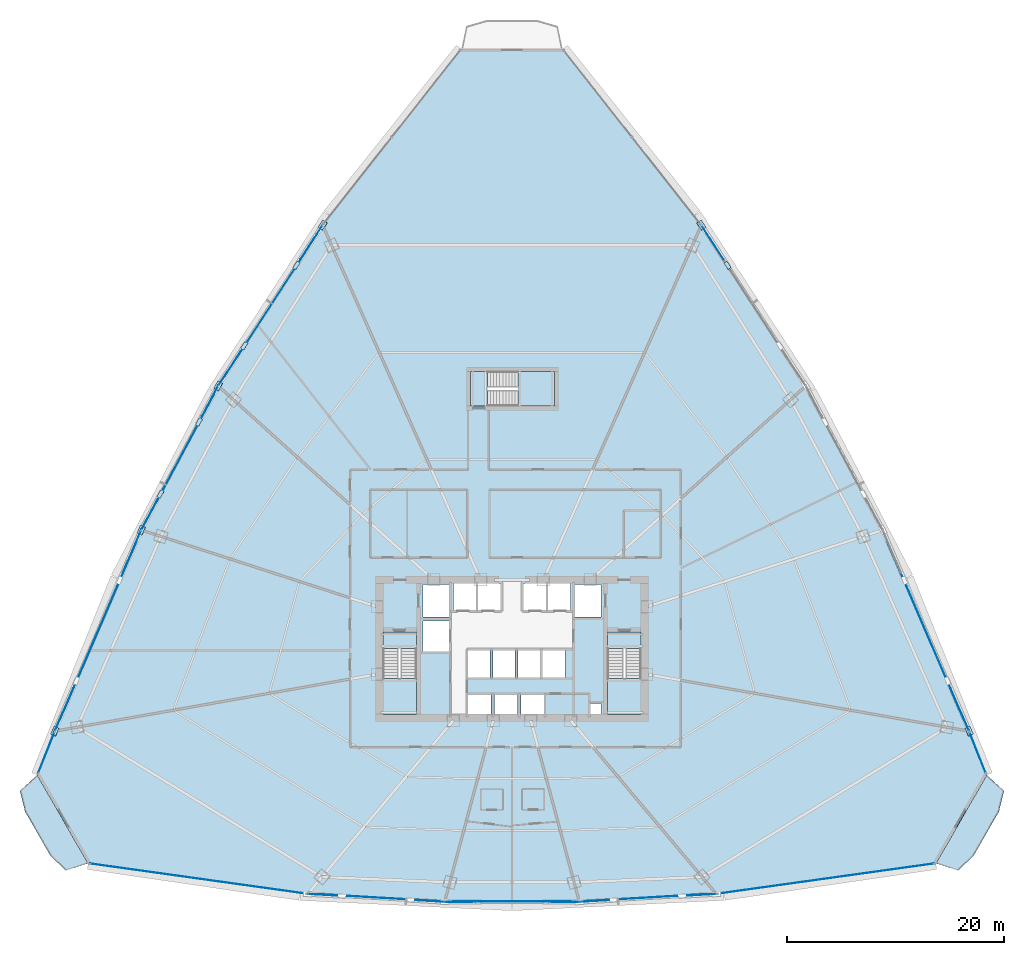
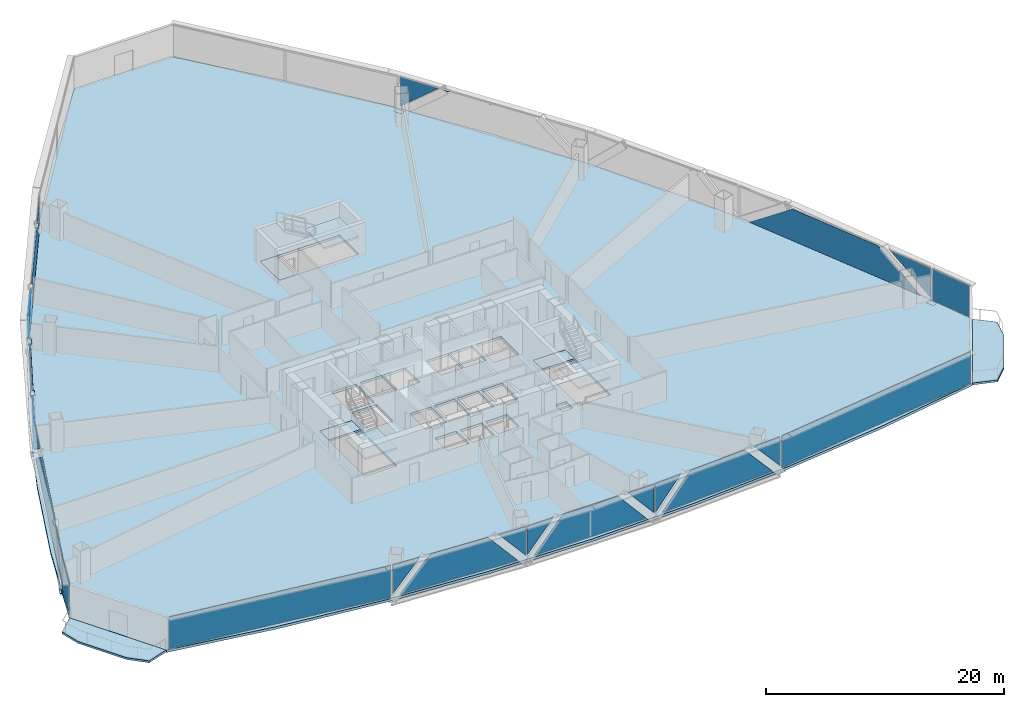
# One storey, part 28 of 38: 36 plates, 9 slabs, 15 elements without a shape of their own.
"""IFC4 building model written with IfcOpenShell, lengths in metres."""

from ifc_helpers import new_model, si_unit, direction, frame, origin, origin_2d, place, context, subcontext, project, spatial, polyline, rectangle, outline, extrude, source, transform, mapped, material, layer, layer_set, type_object, element, aggregate, save


model = new_model("IFC4")

# Units and contexts
model_context = context("Model", 3, precision=1e-05, world=origin(), true_north=direction((0.0, 1.0)))
body_context = subcontext(model_context, "Body", "Model", "MODEL_VIEW")
ifc_project = project(units=[si_unit("LENGTHUNIT", "METRE"), si_unit("AREAUNIT", "SQUARE_METRE"), si_unit("VOLUMEUNIT", "CUBIC_METRE"), si_unit("PLANEANGLEUNIT", "RADIAN"), si_unit("MASSUNIT", "GRAM", prefix="KILO"), si_unit("THERMODYNAMICTEMPERATUREUNIT", "KELVIN"), si_unit("POWERUNIT", "WATT")], contexts=[model_context])

# Site, building, storey
site_placement = place(None, origin())
site = spatial("IfcSite", under=ifc_project, at=site_placement, CompositionType="ELEMENT")
building_placement = place(site_placement, origin())
building = spatial("IfcBuilding", under=site, at=building_placement, Name="Yunzhuo Pagoda Commons", CompositionType="ELEMENT")
storey_placement = place(building_placement, frame((0.0, 0.0, 34.030029296875)))
storey = spatial("IfcBuildingStorey", under=building, at=storey_placement, Name="L08", CompositionType="ELEMENT", Elevation=34.030029296875)

# Curtain wall, plates
ifc_material_1 = material(Name="Anodized aluminium 6063-T6", Category="aluminium")
ifc_layer_1 = layer(ifc_material_1, 0.1650390625)
ifc_layer_set_1 = layer_set([ifc_layer_1], Name="Anodized aluminium 6063-T6")
curtain_wall_type = type_object("IfcCurtainWallType", Name="CW-LOW Low-Zone Ribbon Curtain Wall", PredefinedType="NOTDEFINED", material=ifc_layer_set_1)
curtain_wall_1_placement = place(storey_placement, origin())
curtain_wall_1 = element("IfcCurtainWall", 1, at=curtain_wall_1_placement, inside=storey, type_object=curtain_wall_type, Name="L08 curtain wall CW-L08-F1B2", PredefinedType="NOTDEFINED")
ifc_material_2 = material(Name="Tempered low-e double glazing", Category="glass")
ifc_layer_2 = layer(ifc_material_2, 0.028076171875)
ifc_layer_set_2 = layer_set([ifc_layer_2], Name="Tempered low-e double glazing")
plate_type_1 = type_object("IfcPlateType", Name="CW-LOW-P Low-E Double Glazing 28", PredefinedType="CURTAIN_PANEL", material=ifc_layer_set_2)
plate_1_placement = place(storey_placement, frame((30.51904296875, 11.21630859375, 1.851806640625), z_axis=(-0.05789866519, -0.998322465223, 0.0), x_axis=(0.998322465223, -0.05789866519, 0.0)))
plate_1 = element("IfcPlate", 2, at=plate_1_placement, type_object=plate_type_1, Name="CW panel 1.1 lite 1", PredefinedType="CURTAIN_PANEL", context=body_context, shape_type="SweptSolid", body=[
    extrude(outline(polyline([(-1.268310546875, -1.458251953125), (1.268310546875, 1.458251953125), (-1.268310546875, 1.458251953125), (-1.268310546875, -1.458251953125)])), origin(), (0.0, 0.0, 1.0), 0.028076171875),
])
plate_2_placement = place(storey_placement, frame((35.494140625, 10.957763671875, 1.68505859375), z_axis=(-0.05789866519, -0.998322465223, 0.0), x_axis=(0.998322465223, -0.05789866519, 0.0)))
plate_2 = element("IfcPlate", 3, at=plate_2_placement, type_object=plate_type_1, Name="CW panel 1.1 lite 2", PredefinedType="CURTAIN_PANEL", context=body_context, shape_type="SweptSolid", body=[
    extrude(outline(polyline([(-5.533203125, -1.625), (5.533203125, -1.625), (2.706298828125, 1.625), (-2.706298828125, 1.625), (-5.533203125, -1.625)])), origin(), (0.0, 0.0, 1.0), 0.028076171875),
])
plate_3_placement = place(storey_placement, frame((40.466064453125, 10.639404296875, 1.851806640625), z_axis=(-0.05789866519, -0.998322465223, 0.0), x_axis=(0.998322465223, -0.05789866519, 0.0)))
plate_3 = element("IfcPlate", 4, at=plate_3_placement, type_object=plate_type_1, Name="CW panel 1.1 lite 3", PredefinedType="CURTAIN_PANEL", context=body_context, shape_type="SweptSolid", body=[
    extrude(outline(polyline([(-1.268310546875, 1.458251953125), (1.268310546875, -1.458251953125), (1.268310546875, 1.458251953125), (-1.268310546875, 1.458251953125)])), origin(), (0.0, 0.0, 1.0), 0.028076171875),
])
aggregate(curtain_wall_1, [plate_1, plate_2, plate_3])

curtain_wall_2_placement = place(storey_placement, origin())
curtain_wall_2 = element("IfcCurtainWall", 5, at=curtain_wall_2_placement, inside=storey, type_object=curtain_wall_type, Name="L08 curtain wall CW-L08-F1B3", PredefinedType="NOTDEFINED")
plate_4_placement = place(storey_placement, frame((43.104248046875, 10.56201171875, 1.85546875), z_axis=(0.0, -1.0, 0.0), x_axis=(1.0, 0.0, 0.0)))
plate_4 = element("IfcPlate", 6, at=plate_4_placement, type_object=plate_type_1, Name="CW panel 1.1 lite 1", PredefinedType="CURTAIN_PANEL", context=body_context, shape_type="SweptSolid", body=[
    extrude(outline(polyline([(-1.242919921875, -1.45458984375), (1.242919921875, 1.45458984375), (-1.242919921875, 1.45458984375), (-1.242919921875, -1.45458984375)])), origin(), (0.0, 0.0, 1.0), 0.028076171875),
])
plate_5_placement = place(storey_placement, frame((48.0, 10.59228515625, 1.68505859375), z_axis=(0.0, -1.0, 0.0), x_axis=(1.0, 0.0, 0.0)))
plate_5 = element("IfcPlate", 7, at=plate_5_placement, type_object=plate_type_1, Name="CW panel 1.1 lite 2", PredefinedType="CURTAIN_PANEL", context=body_context, shape_type="SweptSolid", body=[
    extrude(outline(polyline([(-5.43017578125, -1.625), (5.43017578125, -1.625), (2.653076171875, 1.625), (-2.653076171875, 1.625), (-5.43017578125, -1.625)])), origin(), (0.0, 0.0, 1.0), 0.028076171875),
])
plate_6_placement = place(storey_placement, frame((52.895751953125, 10.56201171875, 1.85546875), z_axis=(0.0, -1.0, 0.0), x_axis=(1.0, 0.0, 0.0)))
plate_6 = element("IfcPlate", 8, at=plate_6_placement, type_object=plate_type_1, Name="CW panel 1.1 lite 3", PredefinedType="CURTAIN_PANEL", context=body_context, shape_type="SweptSolid", body=[
    extrude(outline(polyline([(-1.242919921875, 1.45458984375), (1.242919921875, -1.45458984375), (1.242919921875, 1.45458984375), (-1.242919921875, 1.45458984375)])), origin(), (0.0, 0.0, 1.0), 0.028076171875),
])
aggregate(curtain_wall_2, [plate_4, plate_5, plate_6])

curtain_wall_3_placement = place(storey_placement, origin())
curtain_wall_3 = element("IfcCurtainWall", 9, at=curtain_wall_3_placement, inside=storey, type_object=curtain_wall_type, Name="L08 curtain wall CW-L08-F1B4", PredefinedType="NOTDEFINED")
plate_7_placement = place(storey_placement, frame((55.533935546875, 10.639404296875, 1.851806640625), z_axis=(0.05789866519, -0.998322465223, 0.0), x_axis=(0.998322465223, 0.05789866519, 0.0)))
plate_7 = element("IfcPlate", 10, at=plate_7_placement, type_object=plate_type_1, Name="CW panel 1.1 lite 1", PredefinedType="CURTAIN_PANEL", context=body_context, shape_type="SweptSolid", body=[
    extrude(outline(polyline([(-1.268310546875, -1.458251953125), (1.268310546875, 1.458251953125), (-1.268310546875, 1.458251953125), (-1.268310546875, -1.458251953125)])), origin(), (0.0, 0.0, 1.0), 0.028076171875),
])
plate_8_placement = place(storey_placement, frame((60.505859375, 10.957763671875, 1.68505859375), z_axis=(0.05789866519, -0.998322465223, 0.0), x_axis=(0.998322465223, 0.05789866519, 0.0)))
plate_8 = element("IfcPlate", 11, at=plate_8_placement, type_object=plate_type_1, Name="CW panel 1.1 lite 2", PredefinedType="CURTAIN_PANEL", context=body_context, shape_type="SweptSolid", body=[
    extrude(outline(polyline([(-5.533203125, -1.625), (5.533203125, -1.625), (2.706298828125, 1.625), (-2.706298828125, 1.625), (-5.533203125, -1.625)])), origin(), (0.0, 0.0, 1.0), 0.028076171875),
])
plate_9_placement = place(storey_placement, frame((65.48095703125, 11.21630859375, 1.851806640625), z_axis=(0.05789866519, -0.998322465223, 0.0), x_axis=(0.998322465223, 0.05789866519, 0.0)))
plate_9 = element("IfcPlate", 12, at=plate_9_placement, type_object=plate_type_1, Name="CW panel 1.1 lite 3", PredefinedType="CURTAIN_PANEL", context=body_context, shape_type="SweptSolid", body=[
    extrude(outline(polyline([(-1.268310546875, 1.458251953125), (1.268310546875, -1.458251953125), (1.268310546875, 1.458251953125), (-1.268310546875, 1.458251953125)])), origin(), (0.0, 0.0, 1.0), 0.028076171875),
])
aggregate(curtain_wall_3, [plate_7, plate_8, plate_9])

curtain_wall_4_placement = place(storey_placement, origin())
curtain_wall_4 = element("IfcCurtainWall", 13, at=curtain_wall_4_placement, inside=storey, type_object=curtain_wall_type, Name="L08 curtain wall CW-L08-F2B2", PredefinedType="NOTDEFINED")
plate_10_placement = place(storey_placement, frame((89.22265625, 28.27880859375, 1.782470703125), z_axis=(0.918745212535, 0.394850901535, 0.0), x_axis=(-0.394850901535, 0.918745212535, 0.0)))
plate_10 = element("IfcPlate", 14, at=plate_10_placement, type_object=plate_type_1, Name="CW panel 1.1 lite 1", PredefinedType="CURTAIN_PANEL", context=body_context, shape_type="SweptSolid", body=[
    extrude(outline(polyline([(-2.1201171875, -1.52734375), (2.1201171875, 1.52734375), (-2.1201171875, 1.52734375), (-2.1201171875, -1.52734375)])), origin(), (0.0, 0.0, 1.0), 0.028076171875),
])
plate_11_placement = place(storey_placement, frame((86.0791015625, 35.517578125, 1.68505859375), z_axis=(0.918745212535, 0.394850901535, 0.0), x_axis=(-0.394850901535, 0.918745212535, 0.0)))
plate_11 = element("IfcPlate", 15, at=plate_11_placement, type_object=plate_type_1, Name="CW panel 1.1 lite 2", PredefinedType="CURTAIN_PANEL", context=body_context, shape_type="SweptSolid", body=[
    extrude(outline(polyline([(-8.982666015625, -1.625), (8.982666015625, -1.625), (4.4716796875, 1.625), (-4.4716796875, 1.625), (-8.982666015625, -1.625)])), origin(), (0.0, 0.0, 1.0), 0.028076171875),
])
aggregate(curtain_wall_4, [plate_10, plate_11])

# Curtain wall, plate
curtain_wall_5_placement = place(storey_placement, origin())
curtain_wall_5 = element("IfcCurtainWall", 16, at=curtain_wall_5_placement, inside=storey, type_object=curtain_wall_type, Name="L08 curtain wall CW-L08-F2B4", PredefinedType="NOTDEFINED")
plate_12_placement = place(storey_placement, frame((66.464599609375, 71.26513671875, 1.797607421875), z_axis=(0.83865240069, 0.544667009114, 0.0), x_axis=(-0.544667009114, 0.83865240069, 0.0)))
plate_12 = element("IfcPlate", 17, at=plate_12_placement, type_object=plate_type_1, Name="CW panel 1.1 lite 3", PredefinedType="CURTAIN_PANEL", context=body_context, shape_type="SweptSolid", body=[
    extrude(outline(polyline([(-1.8388671875, 1.51220703125), (1.8388671875, -1.51220703125), (1.8388671875, 1.51220703125), (-1.8388671875, 1.51220703125)])), origin(), (0.0, 0.0, 1.0), 0.028076171875),
])
aggregate(curtain_wall_5, [plate_12])

# Curtain wall, plates
curtain_wall_6_placement = place(storey_placement, origin())
curtain_wall_6 = element("IfcCurtainWall", 18, at=curtain_wall_6_placement, inside=storey, type_object=curtain_wall_type, Name="L08 curtain wall CW-L08-F3B2", PredefinedType="NOTDEFINED")
plate_13_placement = place(storey_placement, frame((29.535400390625, 71.26513671875, 1.797607421875), z_axis=(-0.83865240069, 0.544667009114, 0.0), x_axis=(-0.544667009114, -0.83865240069, 0.0)))
plate_13 = element("IfcPlate", 19, at=plate_13_placement, type_object=plate_type_1, Name="CW panel 1.1 lite 1", PredefinedType="CURTAIN_PANEL", context=body_context, shape_type="SweptSolid", body=[
    extrude(outline(polyline([(-1.8388671875, -1.51220703125), (1.8388671875, 1.51220703125), (-1.8388671875, 1.51220703125), (-1.8388671875, -1.51220703125)])), origin(), (0.0, 0.0, 1.0), 0.028076171875),
])
plate_14_placement = place(storey_placement, frame((25.7890625, 65.441650390625, 1.68505859375), z_axis=(-0.83865240069, 0.544667009114, 0.0), x_axis=(-0.544667009114, -0.83865240069, 0.0)))
plate_14 = element("IfcPlate", 20, at=plate_14_placement, type_object=plate_type_1, Name="CW panel 1.1 lite 2", PredefinedType="CURTAIN_PANEL", context=body_context, shape_type="SweptSolid", body=[
    extrude(outline(polyline([(-7.8408203125, -1.625), (7.8408203125, -1.625), (3.888916015625, 1.625), (-3.888916015625, 1.625), (-7.8408203125, -1.625)])), origin(), (0.0, 0.0, 1.0), 0.028076171875),
])
plate_15_placement = place(storey_placement, frame((21.992431640625, 59.65087890625, 1.797607421875), z_axis=(-0.83865240069, 0.544667009114, 0.0), x_axis=(-0.544667009114, -0.83865240069, 0.0)))
plate_15 = element("IfcPlate", 21, at=plate_15_placement, type_object=plate_type_1, Name="CW panel 1.1 lite 3", PredefinedType="CURTAIN_PANEL", context=body_context, shape_type="SweptSolid", body=[
    extrude(outline(polyline([(-1.8388671875, 1.51220703125), (1.8388671875, -1.51220703125), (1.8388671875, 1.51220703125), (-1.8388671875, 1.51220703125)])), origin(), (0.0, 0.0, 1.0), 0.028076171875),
])
aggregate(curtain_wall_6, [plate_13, plate_14, plate_15])

curtain_wall_7_placement = place(storey_placement, origin())
curtain_wall_7 = element("IfcCurtainWall", 22, at=curtain_wall_7_placement, inside=storey, type_object=curtain_wall_type, Name="L08 curtain wall CW-L08-F3B3", PredefinedType="NOTDEFINED")
plate_16_placement = place(storey_placement, frame((20.19873046875, 56.636474609375, 1.820556640625), z_axis=(-0.882141395132, 0.470984669595, 0.0), x_axis=(-0.470984669595, -0.882141395132, 0.0)))
plate_16 = element("IfcPlate", 23, at=plate_16_placement, type_object=plate_type_1, Name="CW panel 1.1 lite 1", PredefinedType="CURTAIN_PANEL", context=body_context, shape_type="SweptSolid", body=[
    extrude(outline(polyline([(-1.543212890625, -1.489501953125), (1.543212890625, 1.489501953125), (-1.543212890625, 1.489501953125), (-1.543212890625, -1.489501953125)])), origin(), (0.0, 0.0, 1.0), 0.028076171875),
])
plate_17_placement = place(storey_placement, frame((17.4404296875, 51.406494140625, 1.68505859375), z_axis=(-0.882141395132, 0.470984669595, 0.0), x_axis=(-0.470984669595, -0.882141395132, 0.0)))
plate_17 = element("IfcPlate", 24, at=plate_17_placement, type_object=plate_type_1, Name="CW panel 1.1 lite 2", PredefinedType="CURTAIN_PANEL", context=body_context, shape_type="SweptSolid", body=[
    extrude(outline(polyline([(-6.64208984375, -1.625), (6.64208984375, -1.625), (3.275390625, 1.625), (-3.275390625, 1.625), (-6.64208984375, -1.625)])), origin(), (0.0, 0.0, 1.0), 0.028076171875),
])
plate_18_placement = place(storey_placement, frame((14.629150390625, 46.205078125, 1.820556640625), z_axis=(-0.882141395132, 0.470984669595, 0.0), x_axis=(-0.470984669595, -0.882141395132, 0.0)))
plate_18 = element("IfcPlate", 25, at=plate_18_placement, type_object=plate_type_1, Name="CW panel 1.1 lite 3", PredefinedType="CURTAIN_PANEL", context=body_context, shape_type="SweptSolid", body=[
    extrude(outline(polyline([(-1.543212890625, 1.489501953125), (1.543212890625, -1.489501953125), (1.543212890625, 1.489501953125), (-1.543212890625, 1.489501953125)])), origin(), (0.0, 0.0, 1.0), 0.028076171875),
])
aggregate(curtain_wall_7, [plate_16, plate_17, plate_18])

curtain_wall_8_placement = place(storey_placement, origin())
curtain_wall_8 = element("IfcCurtainWall", 26, at=curtain_wall_8_placement, inside=storey, type_object=curtain_wall_type, Name="L08 curtain wall CW-L08-F3B4", PredefinedType="NOTDEFINED")
plate_19_placement = place(storey_placement, frame((13.009521484375, 42.77978515625, 1.782470703125), z_axis=(-0.918745212535, 0.394850901535, 0.0), x_axis=(-0.394850901535, -0.918745212535, 0.0)))
plate_19 = element("IfcPlate", 27, at=plate_19_placement, type_object=plate_type_1, Name="CW panel 1.1 lite 1", PredefinedType="CURTAIN_PANEL", context=body_context, shape_type="SweptSolid", body=[
    extrude(outline(polyline([(-2.1201171875, -1.52734375), (2.1201171875, 1.52734375), (-2.1201171875, 1.52734375), (-2.1201171875, -1.52734375)])), origin(), (0.0, 0.0, 1.0), 0.028076171875),
])
plate_20_placement = place(storey_placement, frame((9.9208984375, 35.517578125, 1.68505859375), z_axis=(-0.918745212535, 0.394850901535, 0.0), x_axis=(-0.394850901535, -0.918745212535, 0.0)))
plate_20 = element("IfcPlate", 28, at=plate_20_placement, type_object=plate_type_1, Name="CW panel 1.1 lite 2", PredefinedType="CURTAIN_PANEL", context=body_context, shape_type="SweptSolid", body=[
    extrude(outline(polyline([(-8.982666015625, -1.625), (8.982666015625, -1.625), (4.4716796875, 1.625), (-4.4716796875, 1.625), (-8.982666015625, -1.625)])), origin(), (0.0, 0.0, 1.0), 0.028076171875),
])
plate_21_placement = place(storey_placement, frame((6.77734375, 28.27880859375, 1.782470703125), z_axis=(-0.918745212535, 0.394850901535, 0.0), x_axis=(-0.394850901535, -0.918745212535, 0.0)))
plate_21 = element("IfcPlate", 29, at=plate_21_placement, type_object=plate_type_1, Name="CW panel 1.1 lite 3", PredefinedType="CURTAIN_PANEL", context=body_context, shape_type="SweptSolid", body=[
    extrude(outline(polyline([(-2.1201171875, 1.52734375), (2.1201171875, -1.52734375), (2.1201171875, 1.52734375), (-2.1201171875, 1.52734375)])), origin(), (0.0, 0.0, 1.0), 0.028076171875),
])
aggregate(curtain_wall_8, [plate_19, plate_20, plate_21])

# Slabs
ifc_material_3 = material(Name="Concrete C40", Category="concrete")
ifc_layer_3 = layer(ifc_material_3, 0.199951171875)
ifc_layer_set_3 = layer_set([ifc_layer_3], Name="Concrete C40")
slab_type_1 = type_object("IfcSlabType", Name="SL-BAL Vertex Balcony Deck Slab 200", PredefinedType="FLOOR", material=ifc_layer_set_3)
slab_1_placement = place(storey_placement, frame((0.0, 0.0, -0.199951171875)))
element("IfcSlab", 30, at=slab_1_placement, inside=storey, type_object=slab_type_1, Name="L08 corner balcony V1", PredefinedType="FLOOR", context=body_context, shape_type="SweptSolid", body=[
    extrude(outline(polyline([(4.287109375, 22.2197265625), (8.95068359375, 14.097412109375), (6.90966796875, 13.444580078125), (5.490966796875, 14.81103515625), (3.1591796875, 18.872314453125), (2.694091796875, 20.786376953125), (4.287109375, 22.2197265625)])), origin(), (0.0, 0.0, 1.0), 0.199951171875),
])
slab_2_placement = place(storey_placement, frame((0.0, 0.0, -0.199951171875)))
element("IfcSlab", 31, at=slab_2_placement, inside=storey, type_object=slab_type_1, Name="L08 corner balcony V2", PredefinedType="FLOOR", context=body_context, shape_type="SweptSolid", body=[
    extrude(outline(polyline([(87.04931640625, 14.097412109375), (91.712890625, 22.2197265625), (93.305908203125, 20.786376953125), (92.8408203125, 18.872314453125), (90.509033203125, 14.81103515625), (89.09033203125, 13.444580078125), (87.04931640625, 14.097412109375)])), origin(), (0.0, 0.0, 1.0), 0.199951171875),
])

# Stair, slabs
stair_type_1 = type_object("IfcStairType", Name="ST-C1 Core Smokeproof Stair ST1", PredefinedType="HALF_TURN_STAIR", material=ifc_material_3)
stair_1_placement = place(storey_placement, origin())
stair_1 = element("IfcStair", 32, at=stair_1_placement, inside=storey, type_object=stair_type_1, Name="L08 Core smokeproof stair ST1", PredefinedType="HALF_TURN_STAIR")
ifc_layer_4 = layer(ifc_material_3, 0.199951171875)
ifc_layer_set_4 = layer_set([ifc_layer_4], Name="Concrete C40")
slab_type_2 = type_object("IfcSlabType", Name="SL-LND1 Stair Landing Slab 200", PredefinedType="LANDING", material=ifc_layer_set_4)
slab_3_placement = place(storey_placement, frame((0.0, 0.0, 1.614990234375)))
slab_3 = element("IfcSlab", 33, at=slab_3_placement, type_object=slab_type_2, Name="ST1 landing 1", PredefinedType="LANDING", context=body_context, shape_type="SweptSolid", body=[
    extrude(outline(polyline([(36.10009765625, 31.10009765625), (36.10009765625, 27.800048828125), (39.199951171875, 27.800048828125), (39.199951171875, 31.10009765625), (36.10009765625, 31.10009765625)])), origin(), (0.0, 0.0, 1.0), 0.199951171875),
])
slab_4_placement = place(storey_placement, frame((0.0, 0.0, -0.199951171875)))
slab_4 = element("IfcSlab", 34, at=slab_4_placement, type_object=slab_type_2, Name="ST1 floor landing L08", PredefinedType="LANDING", context=body_context, shape_type="SweptSolid", body=[
    extrude(outline(polyline([(36.10009765625, 35.39990234375), (36.10009765625, 33.89990234375), (39.199951171875, 33.89990234375), (39.199951171875, 35.39990234375), (36.10009765625, 35.39990234375)])), origin(), (0.0, 0.0, 1.0), 0.199951171875),
])
aggregate(stair_1, [slab_3, slab_4])

stair_type_2 = type_object("IfcStairType", Name="ST-C2 Core Smokeproof Stair ST2", PredefinedType="HALF_TURN_STAIR", material=ifc_material_3)
stair_2_placement = place(storey_placement, origin())
stair_2 = element("IfcStair", 35, at=stair_2_placement, inside=storey, type_object=stair_type_2, Name="L08 Core smokeproof stair ST2", PredefinedType="HALF_TURN_STAIR")
ifc_layer_5 = layer(ifc_material_3, 0.201904296875)
ifc_layer_set_5 = layer_set([ifc_layer_5], Name="Concrete C40")
slab_type_3 = type_object("IfcSlabType", Name="SL-LND2 Stair Landing Slab 202", PredefinedType="LANDING", material=ifc_layer_set_5)
slab_5_placement = place(storey_placement, frame((0.0, 0.0, 1.614990234375)))
slab_5 = element("IfcSlab", 36, at=slab_5_placement, type_object=slab_type_3, Name="ST2 landing 1", PredefinedType="LANDING", context=body_context, shape_type="SweptSolid", body=[
    extrude(outline(polyline([(56.800048828125, 31.10009765625), (56.800048828125, 27.800048828125), (59.89990234375, 27.800048828125), (59.89990234375, 31.10009765625), (56.800048828125, 31.10009765625)])), origin(), (0.0, 0.0, 1.0), 0.199951171875),
])
slab_6_placement = place(storey_placement, frame((0.0, 0.0, -0.199951171875)))
slab_6 = element("IfcSlab", 37, at=slab_6_placement, type_object=slab_type_3, Name="ST2 floor landing L08", PredefinedType="LANDING", context=body_context, shape_type="SweptSolid", body=[
    extrude(outline(polyline([(56.800048828125, 35.39990234375), (56.800048828125, 33.89990234375), (59.89990234375, 33.89990234375), (59.89990234375, 35.39990234375), (56.800048828125, 35.39990234375)])), origin(), (0.0, 0.0, 1.0), 0.199951171875),
])
aggregate(stair_2, [slab_5, slab_6])

stair_type_3 = type_object("IfcStairType", Name="ST-C3 North Tower Smokeproof Stair ST3", PredefinedType="HALF_TURN_STAIR", material=ifc_material_3)
stair_3_placement = place(storey_placement, origin())
stair_3 = element("IfcStair", 38, at=stair_3_placement, inside=storey, type_object=stair_type_3, Name="L08 North tower smokeproof stair ST3", PredefinedType="HALF_TURN_STAIR")
ifc_layer_6 = layer(ifc_material_3, 0.2041015625)
ifc_layer_set_6 = layer_set([ifc_layer_6], Name="Concrete C40")
slab_type_4 = type_object("IfcSlabType", Name="SL-LND5 North Landing Slab 204", PredefinedType="LANDING", material=ifc_layer_set_6)
slab_7_placement = place(storey_placement, frame((0.0, 0.0, 1.614990234375)))
slab_7 = element("IfcSlab", 39, at=slab_7_placement, type_object=slab_type_4, Name="ST3 landing 1", PredefinedType="LANDING", context=body_context, shape_type="SweptSolid", body=[
    extrude(outline(polyline([(48.550048828125, 56.199951171875), (51.89990234375, 56.199951171875), (51.89990234375, 59.39990234375), (48.550048828125, 59.39990234375), (48.550048828125, 56.199951171875)])), origin(), (0.0, 0.0, 1.0), 0.199951171875),
])
slab_8_placement = place(storey_placement, frame((0.0, 0.0, -0.199951171875)))
slab_8 = element("IfcSlab", 40, at=slab_8_placement, type_object=slab_type_4, Name="ST3 floor landing L08", PredefinedType="LANDING", context=body_context, shape_type="SweptSolid", body=[
    extrude(outline(polyline([(44.199951171875, 56.199951171875), (45.75, 56.199951171875), (45.75, 59.39990234375), (44.199951171875, 59.39990234375), (44.199951171875, 56.199951171875)])), origin(), (0.0, 0.0, 1.0), 0.199951171875),
])
aggregate(stair_3, [slab_7, slab_8])

# Slab
ifc_layer_7 = layer(ifc_material_3, 0.260009765625)
ifc_layer_set_7 = layer_set([ifc_layer_7], Name="Concrete C40")
slab_type_5 = type_object("IfcSlabType", Name="SL-TWR Typical Tower Floor Slab 260", PredefinedType="FLOOR", material=ifc_layer_set_7)
slab_9_placement = place(storey_placement, frame((0.0, 0.0, -0.260009765625)))
element("IfcSlab", 41, at=slab_9_placement, inside=storey, type_object=slab_type_5, Name="L08 structural floor slab", PredefinedType="FLOOR", context=body_context, shape_type="SweptSolid", body=[
    extrude(outline(polyline([(7.736083984375, 31.42138671875), (11.59130859375, 40.381103515625), (15.8564453125, 49.101318359375), (20.531982421875, 57.582275390625), (25.617919921875, 65.823486328125), (31.11376953125, 73.825439453125), (37.02001953125, 81.587890625), (43.33642578125, 89.11083984375), (52.66357421875, 89.11083984375), (58.97998046875, 81.587890625), (64.88623046875, 73.825439453125), (70.382080078125, 65.823486328125), (75.468017578125, 57.582275390625), (80.1435546875, 49.101318359375), (84.40869140625, 40.381103515625), (88.263916015625, 31.42138671875), (91.708740234375, 22.222412109375), (87.045166015625, 14.10009765625), (77.28369140625, 12.4375), (67.522705078125, 11.25), (57.76123046875, 10.53759765625), (48.0, 10.300048828125), (38.23876953125, 10.53759765625), (28.4775390625, 11.25), (18.71630859375, 12.4375), (8.954833984375, 14.10009765625), (4.291259765625, 22.222412109375), (7.736083984375, 31.42138671875)]), holes=[polyline([(46.050048828125, 27.60009765625), (46.050048828125, 29.64990234375), (43.949951171875, 29.64990234375), (43.949951171875, 27.60009765625), (46.050048828125, 27.60009765625)]), polyline([(48.5, 27.60009765625), (48.5, 29.64990234375), (46.39990234375, 29.64990234375), (46.39990234375, 27.60009765625), (48.5, 27.60009765625)]), polyline([(36.10009765625, 27.800048828125), (39.199951171875, 27.800048828125), (39.199951171875, 35.39990234375), (36.10009765625, 35.39990234375), (36.10009765625, 27.800048828125)]), polyline([(45.969970703125, 31.199951171875), (45.969970703125, 33.800048828125), (43.929931640625, 33.800048828125), (43.929931640625, 31.199951171875), (45.969970703125, 31.199951171875)]), polyline([(48.27001953125, 31.199951171875), (48.27001953125, 33.800048828125), (46.22998046875, 33.800048828125), (46.22998046875, 31.199951171875), (48.27001953125, 31.199951171875)]), polyline([(42.199951171875, 33.60009765625), (42.199951171875, 36.39990234375), (39.800048828125, 36.39990234375), (39.800048828125, 33.60009765625), (42.199951171875, 33.60009765625)]), polyline([(42.199951171875, 36.800048828125), (42.199951171875, 39.800048828125), (39.800048828125, 39.800048828125), (39.800048828125, 36.800048828125), (42.199951171875, 36.800048828125)]), polyline([(42.60009765625, 37.39990234375), (44.699951171875, 37.39990234375), (44.699951171875, 39.85009765625), (42.60009765625, 39.85009765625), (42.60009765625, 37.39990234375)]), polyline([(44.85009765625, 37.39990234375), (46.949951171875, 37.39990234375), (46.949951171875, 39.85009765625), (44.85009765625, 39.85009765625), (44.85009765625, 37.39990234375)]), polyline([(56.179931640625, 27.699951171875), (56.179931640625, 28.800048828125), (55.179931640625, 28.800048828125), (55.179931640625, 27.699951171875), (56.179931640625, 27.699951171875)]), polyline([(50.949951171875, 27.60009765625), (50.949951171875, 29.64990234375), (48.85009765625, 29.64990234375), (48.85009765625, 27.60009765625), (50.949951171875, 27.60009765625)]), polyline([(56.800048828125, 27.800048828125), (59.89990234375, 27.800048828125), (59.89990234375, 35.39990234375), (56.800048828125, 35.39990234375), (56.800048828125, 27.800048828125)]), polyline([(50.570068359375, 31.199951171875), (50.570068359375, 33.800048828125), (48.530029296875, 33.800048828125), (48.530029296875, 31.199951171875), (50.570068359375, 31.199951171875)]), polyline([(52.8701171875, 31.199951171875), (52.8701171875, 33.800048828125), (50.830078125, 33.800048828125), (50.830078125, 31.199951171875), (52.8701171875, 31.199951171875)]), polyline([(56.199951171875, 36.800048828125), (56.199951171875, 39.800048828125), (53.800048828125, 39.800048828125), (53.800048828125, 36.800048828125), (56.199951171875, 36.800048828125)]), polyline([(51.14990234375, 37.39990234375), (51.14990234375, 39.85009765625), (49.050048828125, 39.85009765625), (49.050048828125, 37.39990234375), (51.14990234375, 37.39990234375)]), polyline([(51.300048828125, 37.39990234375), (53.39990234375, 37.39990234375), (53.39990234375, 39.85009765625), (51.300048828125, 39.85009765625), (51.300048828125, 37.39990234375)]), polyline([(44.199951171875, 56.199951171875), (51.89990234375, 56.199951171875), (51.89990234375, 59.39990234375), (44.199951171875, 59.39990234375), (44.199951171875, 56.199951171875)])]), origin(), (0.0, 0.0, 1.0), 0.260009765625),
])

# Plates
ifc_material_4 = material(Name="Structural steel Q355B", Category="steel")
ifc_layer_8 = layer(ifc_material_4, 0.028076171875)
ifc_layer_set_8 = layer_set([ifc_layer_8], Name="Structural steel Q355B")
plate_type_2 = type_object("IfcPlateType", Name="SP-ND1 Lattice Node Cap Plate 800x500x28", PredefinedType="USERDEFINED", material=ifc_layer_set_8)
shared_shape_1 = source(origin(), body_context, "Body", "SweptSolid", [
    extrude(rectangle(XDim=0.800048828125, YDim=0.5, at=origin_2d()), origin(), (0.0, 0.0, 1.0), 0.028076171875),
])
for number, where, z_axis, x_axis, name in (
    (42, (90.098388671875, 26.27685546875, -0.27392578125), (0.0, 0.0, 1.0), (-0.39485610496, 0.918742976232, 0.0), "L08 diamond node plate F2.1A"),
    (43, (65.439453125, 72.869384765625, -0.27392578125), (0.0, 0.0, 1.0), (-0.544668309809, 0.838651555946, 0.0), "L08 diamond node plate F2.3B"),
    (44, (30.560546875, 72.869384765625, -0.27392578125), (0.0, 0.0, 1.0), (-0.544668309809, -0.838651555946, 0.0), "L08 diamond node plate F3.1A"),
    (45, (20.943603515625, 58.061767578125, -0.27392578125), (0.0, 0.0, 1.0), (-0.470981088896, -0.882143306897, 0.0), "L08 diamond node plate F3.2A"),
    (46, (13.859375, 44.79296875, -0.27392578125), (0.0, 0.0, 1.0), (-0.39485610496, -0.918742976232, 0.0), "L08 diamond node plate F3.3A"),
    (47, (5.901611328125, 26.27685546875, -0.27392578125), (0.0, 0.0, 1.0), (-0.39485610496, -0.918742976232, 0.0), "L08 diamond node plate F3.3B"),
):
    element("IfcPlate", number, at=place(storey_placement, frame(where, z_axis=z_axis, x_axis=x_axis)), inside=storey, type_object=plate_type_2, Name=name, ObjectType="STIFFENER_PLATE", PredefinedType="USERDEFINED", context=body_context, shape_type="MappedRepresentation", body=[
        mapped(shared_shape_1, transform((0.0, 0.0, 0.0), scale=1.0)),
    ])
shared_shape_2 = source(origin(), body_context, "Body", "SweptSolid", [
    extrude(rectangle(XDim=0.699951171875, YDim=0.35009765625, at=origin_2d()), origin(), (0.0, 0.0, 1.0), 0.035888671875),
])
for number, where, z_axis, x_axis, name in (
    (48, (67.843505859375, 69.16748046875, 3.33203125), (0.0, 0.0, 1.0), (-0.544668309809, 0.838651555946, 0.0), "L08 setback lattice tie plate F2.3R"),
    (49, (28.15625, 69.16748046875, 3.33203125), (0.0, 0.0, 1.0), (-0.544668309809, -0.838651555946, 0.0), "L08 setback lattice tie plate F3.1L"),
    (50, (23.347900390625, 61.763671875, 3.33203125), (0.0, 0.0, 1.0), (-0.544668309809, -0.838651555946, 0.0), "L08 setback lattice tie plate F3.1R"),
    (51, (19.172607421875, 54.744384765625, 3.33203125), (0.0, 0.0, 1.0), (-0.470981088896, -0.882143306897, 0.0), "L08 setback lattice tie plate F3.2L"),
    (52, (15.63037109375, 48.110107421875, 3.33203125), (0.0, 0.0, 1.0), (-0.470981088896, -0.882143306897, 0.0), "L08 setback lattice tie plate F3.2R"),
):
    element("IfcPlate", number, at=place(storey_placement, frame(where, z_axis=z_axis, x_axis=x_axis)), inside=storey, type_object=plate_type_2, Name=name, ObjectType="STIFFENER_PLATE", PredefinedType="USERDEFINED", context=body_context, shape_type="MappedRepresentation", body=[
        mapped(shared_shape_2, transform((0.0, 0.0, 0.0), scale=1.0)),
    ])

# Curtain wall, plate
curtain_wall_9_placement = place(storey_placement, origin())
curtain_wall_9 = element("IfcCurtainWall", 53, at=curtain_wall_9_placement, inside=storey, type_object=curtain_wall_type, Name="L08 curtain wall CW-L08-F1B1", PredefinedType="NOTDEFINED")
shared_shape_3 = source(origin(), body_context, "Body", "SweptSolid", [
    extrude(rectangle(XDim=20.061767578125, YDim=0.028076171875, at=origin_2d()), origin(), (0.0, 0.0, 1.0), 3.25),
])
plate_22_placement = place(storey_placement, frame((19.11376953125, 12.68603515625, 0.06005859375), z_axis=(0.0, 0.0, 1.0), x_axis=(0.99039127052, -0.138293641491, 0.0)))
plate_22 = element("IfcPlate", 54, at=plate_22_placement, type_object=plate_type_1, Name="CW panel 1.1", PredefinedType="CURTAIN_PANEL", context=body_context, shape_type="MappedRepresentation", body=[
    mapped(shared_shape_3, transform((0.0, 0.0, 0.0), scale=1.0)),
])
aggregate(curtain_wall_9, [plate_22])

curtain_wall_10_placement = place(storey_placement, origin())
curtain_wall_10 = element("IfcCurtainWall", 55, at=curtain_wall_10_placement, inside=storey, type_object=curtain_wall_type, Name="L08 curtain wall CW-L08-F1B5", PredefinedType="NOTDEFINED")
plate_23_placement = place(storey_placement, frame((76.88623046875, 12.68603515625, 0.06005859375), z_axis=(0.0, 0.0, 1.0), x_axis=(0.99039127052, 0.138293641491, 0.0)))
plate_23 = element("IfcPlate", 56, at=plate_23_placement, type_object=plate_type_1, Name="CW panel 1.1", PredefinedType="CURTAIN_PANEL", context=body_context, shape_type="MappedRepresentation", body=[
    mapped(shared_shape_3, transform((0.0, 0.0, 0.0), scale=1.0)),
])
aggregate(curtain_wall_10, [plate_23])

curtain_wall_11_placement = place(storey_placement, origin())
curtain_wall_11 = element("IfcCurtainWall", 57, at=curtain_wall_11_placement, inside=storey, type_object=curtain_wall_type, Name="L08 curtain wall CW-L08-F2B1", PredefinedType="NOTDEFINED")
shared_shape_4 = source(origin(), body_context, "Body", "SweptSolid", [
    extrude(rectangle(XDim=3.996826171875, YDim=0.028076171875, at=origin_2d()), origin(), (0.0, 0.0, 1.0), 3.25),
])
plate_24_placement = place(storey_placement, frame((90.884765625, 24.288330078125, 0.06005859375), z_axis=(0.0, 0.0, 1.0), x_axis=(-0.367665224919, 0.929958215398, 0.0)))
plate_24 = element("IfcPlate", 58, at=plate_24_placement, type_object=plate_type_1, Name="CW panel 1.1", PredefinedType="CURTAIN_PANEL", context=body_context, shape_type="MappedRepresentation", body=[
    mapped(shared_shape_4, transform((0.0, 0.0, 0.0), scale=1.0)),
])
aggregate(curtain_wall_11, [plate_24])

curtain_wall_12_placement = place(storey_placement, origin())
curtain_wall_12 = element("IfcCurtainWall", 59, at=curtain_wall_12_placement, inside=storey, type_object=curtain_wall_type, Name="L08 curtain wall CW-L08-F3B5", PredefinedType="NOTDEFINED")
plate_25_placement = place(storey_placement, frame((5.115234375, 24.288330078125, 0.06005859375), z_axis=(0.0, 0.0, 1.0), x_axis=(-0.367665224919, -0.929958215398, 0.0)))
plate_25 = element("IfcPlate", 60, at=plate_25_placement, type_object=plate_type_1, Name="CW panel 1.1", PredefinedType="CURTAIN_PANEL", context=body_context, shape_type="MappedRepresentation", body=[
    mapped(shared_shape_4, transform((0.0, 0.0, 0.0), scale=1.0)),
])
aggregate(curtain_wall_12, [plate_25])

save(model, "model.ifc")
